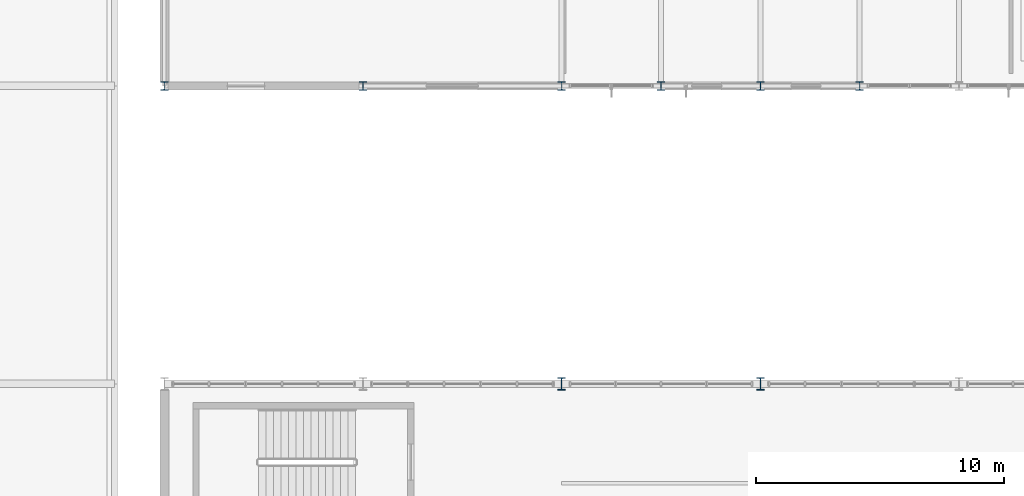
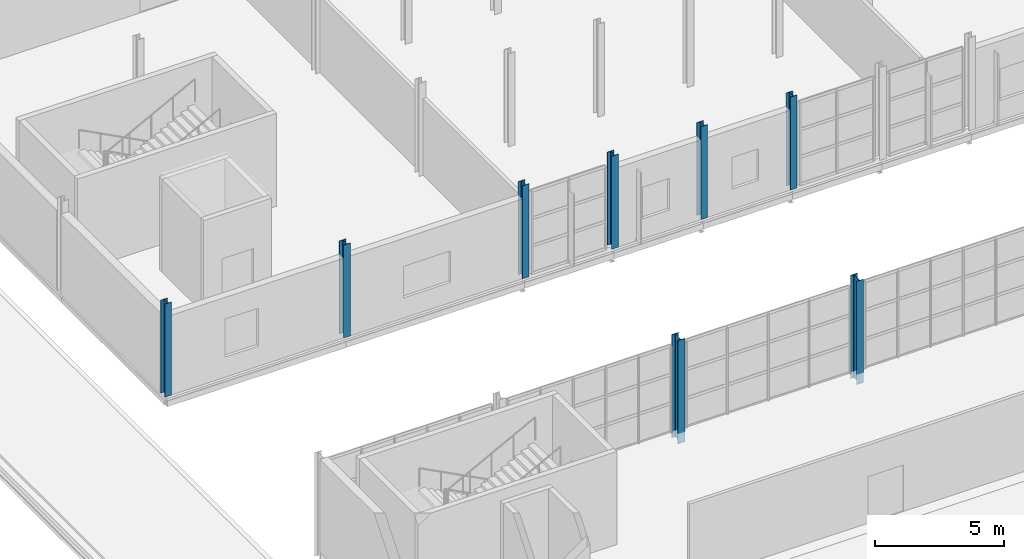
# One storey, part 8 of 153: 8 columns.
"""IFC4 building model written with IfcOpenShell, lengths in metres."""

import ifcopenshell
import ifcopenshell.guid

model = None  # the IFC model being written
_history = None  # IfcOwnerHistory: only IFC2X3 demands one
_inside = {}  # id of a spatial element -> (the spatial element, [elements in it])
_under = {}  # id of a project, library or spatial element -> (it, [spatial elements below it])
_declared = {}  # id of a project -> (the project, [libraries it declares])
_typed = {}  # id of a type object -> (the type object, [elements of that type])
_made_of = {}  # id of a material, layer set ... -> (it, [elements and type objects made of it])


def new_model(schema):
    """Start an empty IFC model of exactly this schema.

    Asked for "IFC4X3", IfcOpenShell would pick the latest addendum, in which some entities
    have other attributes; the version numbers below select the first issue.
    IFC2X3 requires an IfcOwnerHistory on every rooted entity: one is made here for all.
    """
    global model, _history
    if schema == "IFC4X3":
        model = ifcopenshell.file(schema_version=(4, 3, 0, 0))
    else:
        model = ifcopenshell.file(schema=schema)
    _inside.clear()
    _under.clear()
    _declared.clear()
    _typed.clear()
    _made_of.clear()
    _history = None
    if model.schema == "IFC2X3":
        org = make("IfcOrganization", Name="unknown")
        user = make(
            "IfcPersonAndOrganization",
            ThePerson=make("IfcPerson", FamilyName="unknown"),
            TheOrganization=org,
        )
        app = make(
            "IfcApplication",
            ApplicationDeveloper=org,
            Version="unknown",
            ApplicationFullName="unknown",
            ApplicationIdentifier="unknown",
        )
        _history = make(
            "IfcOwnerHistory",
            OwningUser=user,
            OwningApplication=app,
            ChangeAction="ADDED",
            CreationDate=0,
        )
    return model


def make(cls, **values):
    """One entity of the class cls with the attributes given. An attribute that is None is left unset."""
    return model.create_entity(
        cls, **{name: value for name, value in values.items() if value is not None}
    )


def rooted(cls, **values):
    """An entity with a GlobalId (a new one), such as an element, a storey or a relation."""
    return make(cls, GlobalId=ifcopenshell.guid.new(), OwnerHistory=_history, **values)


def si_unit(unit_type, name, prefix=None):
    """IfcSIUnit, for example si_unit("LENGTHUNIT", "METRE", prefix="MILLI")."""
    return make("IfcSIUnit", UnitType=unit_type, Prefix=prefix, Name=name)


def derived_unit(unit_type, elements):
    """IfcDerivedUnit: a product of units, each with its exponent."""
    return make(
        "IfcDerivedUnit",
        Elements=[
            make("IfcDerivedUnitElement", Unit=unit, Exponent=power)
            for unit, power in elements
        ],
        UnitType=unit_type,
    )


def assignment(units):
    """IfcUnitAssignment: the units of a project."""
    return None if units is None else make("IfcUnitAssignment", Units=units)


def point(xyz):
    """IfcCartesianPoint."""
    return None if xyz is None else make("IfcCartesianPoint", Coordinates=xyz)


def direction(xyz):
    """IfcDirection."""
    return None if xyz is None else make("IfcDirection", DirectionRatios=xyz)


def frame(location, z_axis=None, x_axis=None):
    """IfcAxis2Placement3D, a coordinate frame: its origin and axes. An axis left out is left unset."""
    return make(
        "IfcAxis2Placement3D",
        Location=point(location),
        Axis=direction(z_axis),
        RefDirection=direction(x_axis),
    )


def frame_2d(location, x_axis=None):
    """IfcAxis2Placement2D, a coordinate frame in the plane: its origin and x axis."""
    return make(
        "IfcAxis2Placement2D", Location=point(location), RefDirection=direction(x_axis)
    )


def origin():
    """The frame at (0, 0, 0) with its axes left unset."""
    return frame((0.0, 0.0, 0.0))


def origin_2d():
    """The frame at (0, 0) in the plane with its x axis left unset."""
    return frame_2d((0.0, 0.0))


def place(relative_to, where):
    """IfcLocalPlacement: puts the frame where relative to a parent placement (None: the world)."""
    return make(
        "IfcLocalPlacement", PlacementRelTo=relative_to, RelativePlacement=where
    )


def context(
    kind, dimensions, precision=None, world=None, true_north=None, identifier=None
):
    """IfcGeometricRepresentationContext, for example the 3D "Model" context."""
    return make(
        "IfcGeometricRepresentationContext",
        ContextIdentifier=identifier,
        ContextType=kind,
        CoordinateSpaceDimension=dimensions,
        Precision=precision,
        WorldCoordinateSystem=world,
        TrueNorth=true_north,
    )


def subcontext(parent, identifier, kind, view, scale=None):
    """IfcGeometricRepresentationSubContext, for example "Body" below "Model"."""
    return make(
        "IfcGeometricRepresentationSubContext",
        ContextIdentifier=identifier,
        ContextType=kind,
        ParentContext=parent,
        TargetScale=scale,
        TargetView=view,
    )


def project(units=None, contexts=None):
    """IfcProject with its units and contexts."""
    return rooted(
        "IfcProject",
        Name="project",
        RepresentationContexts=contexts,
        UnitsInContext=assignment(units),
    )


def spatial(cls, under=None, at=None, **own):
    """A site, building, storey or space (cls), placed at a placement, below another one or the project."""
    s = rooted(cls, ObjectPlacement=at, **own)
    if under is not None:
        _under.setdefault(under.id(), (under, []))[1].append(s)
    return s


def profile(cls, at=None, kind="AREA", **sizes):
    """A parametric profile (cls). Its sizes go by their IFC names, for example OverallWidth=200.0."""
    return make(cls, ProfileType=kind, Position=at, **sizes)


def i_section(**sizes):
    """IfcIShapeProfileDef."""
    return profile("IfcIShapeProfileDef", **sizes)


def extrude(swept, where, along, depth):
    """IfcExtrudedAreaSolid: the profile swept, set in the frame where, extruded along a direction by depth."""
    return make(
        "IfcExtrudedAreaSolid",
        SweptArea=swept,
        Position=where,
        ExtrudedDirection=direction(along),
        Depth=depth,
    )


def shape(context_of_items, identifier, shape_type, items):
    """IfcShapeRepresentation: the items that make up one representation, for example the "Body"."""
    return make(
        "IfcShapeRepresentation",
        ContextOfItems=context_of_items,
        RepresentationIdentifier=identifier,
        RepresentationType=shape_type,
        Items=items,
    )


def material(Name=None, Category=None):
    """IfcMaterial."""
    return make("IfcMaterial", Name=Name, Category=Category)


def material_profile(
    of_material, cross_section, Name=None, Category=None, Priority=None
):
    """IfcMaterialProfile: a cross section and its material."""
    return make(
        "IfcMaterialProfile",
        Name=Name,
        Material=of_material,
        Profile=cross_section,
        Priority=Priority,
        Category=Category,
    )


def profile_set(profiles, Name=None, composite=None):
    """IfcMaterialProfileSet."""
    return make(
        "IfcMaterialProfileSet",
        Name=Name,
        MaterialProfiles=profiles,
        CompositeProfile=composite,
    )


def made_of(thing, what):
    """Note that an element or type object is made of a material, layer set ...; save() writes the relation."""
    if what is not None:
        _made_of.setdefault(what.id(), (what, []))[1].append(thing)
    return thing


def type_object(cls, material=None, **own):
    """A type object (cls), such as IfcWallType, which elements share."""
    return made_of(rooted(cls, **own), material)


def element(
    cls,
    number,
    at=None,
    inside=None,
    cuts=None,
    type_object=None,
    material=None,
    context=None,
    identifier="Body",
    shape_type=None,
    held_by="IfcProductDefinitionShape",
    body=None,
    shapes=None,
    **own,
):
    """One element of the class cls, such as IfcWall. Its Tag is "e" and its number.

    at: its placement. inside: the storey or other place that contains it. cuts: it is an
    opening in that element (IfcRelVoidsElement). A single representation is given by context,
    identifier, shape_type and body (its items); several are given by shapes. held_by: the class
    of the entity that holds the representations. save() writes the other relations.
    """
    e = rooted(cls, Tag="e%d" % number, ObjectPlacement=at, **own)
    if body is not None:
        shapes = [shape(context, identifier, shape_type, body)]
    if shapes is not None:
        e.Representation = make(held_by, Representations=shapes)
    if inside is not None:
        _inside.setdefault(inside.id(), (inside, []))[1].append(e)
    if cuts is not None:
        rooted(
            "IfcRelVoidsElement", RelatingBuildingElement=cuts, RelatedOpeningElement=e
        )
    if type_object is not None:
        _typed.setdefault(type_object.id(), (type_object, []))[1].append(e)
    return made_of(e, material)


def aggregate(whole, parts):
    """IfcRelAggregates: a whole, such as a stair, and the parts it consists of."""
    return rooted("IfcRelAggregates", RelatingObject=whole, RelatedObjects=parts)


def save(model, path):
    """Write the relations noted so far, then the file.

    IfcRelAggregates (storeys below a building ...), IfcRelContainedInSpatialStructure (elements
    in a storey), IfcRelDefinesByType, IfcRelAssociatesMaterial and IfcRelDeclares: one each for
    every whole, place, type object, material and project.
    """
    for whole, parts in _under.values():
        aggregate(whole, parts)
    for where, things in _inside.values():
        rooted(
            "IfcRelContainedInSpatialStructure",
            RelatedElements=things,
            RelatingStructure=where,
        )
    for kind, things in _typed.values():
        rooted("IfcRelDefinesByType", RelatedObjects=things, RelatingType=kind)
    for what, things in _made_of.values():
        rooted("IfcRelAssociatesMaterial", RelatedObjects=things, RelatingMaterial=what)
    for by, libraries in _declared.values():
        rooted("IfcRelDeclares", RelatingContext=by, RelatedDefinitions=libraries)
    model.write(path)


model = new_model("IFC4")

# Units and contexts
model_context = context("Model", 3, precision=1e-05, world=origin(), true_north=direction((0.0, 1.0)))
body_context = subcontext(model_context, "Body", "Model", "MODEL_VIEW")
ifc_project = project(units=[si_unit("LENGTHUNIT", "METRE"), si_unit("AREAUNIT", "SQUARE_METRE"), si_unit("VOLUMEUNIT", "CUBIC_METRE"), si_unit("PLANEANGLEUNIT", "RADIAN"), si_unit("MASSUNIT", "GRAM", prefix="KILO"), derived_unit("THERMALTRANSMITTANCEUNIT", [(si_unit("POWERUNIT", "WATT"), 1), (si_unit("LENGTHUNIT", "METRE"), -2), (si_unit("THERMODYNAMICTEMPERATUREUNIT", "KELVIN"), -1)])], contexts=[model_context])

# Site, building, storey
site_placement = place(None, origin())
site = spatial("IfcSite", under=ifc_project, at=site_placement, CompositionType="ELEMENT")
building_placement = place(site_placement, origin())
building = spatial("IfcBuilding", under=site, at=building_placement, Name="Keldorne Ridge Multi-Sports Centre", CompositionType="ELEMENT")
storey_placement = place(building_placement, frame((0.0, 0.0, 9.60009765625)))
storey = spatial("IfcBuildingStorey", under=building, at=storey_placement, Name="L02", CompositionType="ELEMENT", Elevation=9.60009765625)

# Columns
ifc_material = material(Name="Steel S355", Category="steel")
ifc_material_profile_1 = material_profile(ifc_material, i_section(OverallWidth=0.300048828125, OverallDepth=0.5, WebThickness=0.014404296875, FlangeThickness=0.028076171875, FilletRadius=0.027099609375, at=origin_2d()), Name="HEB 500")
ifc_profile_set_1 = profile_set([ifc_material_profile_1], Name="Steel S355")
column_type_1 = type_object("IfcColumnType", Name="COL-C-05", PredefinedType="COLUMN", material=ifc_profile_set_1)
for number, where, z_axis, x_axis, name in (
    (1, (120.0, 54.0, -0.489990234375), (0.0, 0.0, 1.0), (1.0, 0.0, 0.0), "Structural column V2-TRUSS-N-03 on L02"),
    (2, (128.0, 54.0, -0.489990234375), (0.0, 0.0, 1.0), (1.0, 0.0, 0.0), "Structural column V2-TRUSS-N-04 on L02"),
):
    element("IfcColumn", number, at=place(storey_placement, frame(where, z_axis=z_axis, x_axis=x_axis)), inside=storey, type_object=column_type_1, Name=name, PredefinedType="COLUMN", context=body_context, shape_type="SweptSolid", body=[
        extrude(i_section(OverallWidth=0.300048828125, OverallDepth=0.5, WebThickness=0.014404296875, FlangeThickness=0.028076171875, FilletRadius=0.027099609375, at=origin_2d()), origin(), (0.0, 0.0, 1.0), 4.889892578125),
    ])
ifc_material_profile_2 = material_profile(ifc_material, i_section(OverallWidth=0.300048828125, OverallDepth=0.340087890625, WebThickness=0.011962890625, FlangeThickness=0.021484375, FilletRadius=0.027099609375, at=origin_2d()), Name="HEB 340")
ifc_profile_set_2 = profile_set([ifc_material_profile_2], Name="Steel S355")
column_type_2 = type_object("IfcColumnType", Name="COL-C-11", PredefinedType="COLUMN", material=ifc_profile_set_2)
for number, where, z_axis, x_axis, name in (
    (3, (104.0, 66.0, 0.0), (0.0, 0.0, 1.0), (1.0, 0.0, 0.0), "Structural column V5-C-01-01 on L02"),
    (4, (112.0, 66.0, 0.0), (0.0, 0.0, 1.0), (1.0, 0.0, 0.0), "Structural column V5-C-02-01 on L02"),
    (5, (120.0, 66.0, 0.0), (0.0, 0.0, 1.0), (1.0, 0.0, 0.0), "Structural column V5-C-03-01 on L02"),
    (6, (124.0, 66.0, 0.0), (0.0, 0.0, 1.0), (1.0, 0.0, 0.0), "Structural column V5-C-04-01 on L02"),
    (7, (128.0, 66.0, 0.0), (0.0, 0.0, 1.0), (1.0, 0.0, 0.0), "Structural column V5-C-05-01 on L02"),
    (8, (132.0, 66.0, 0.0), (0.0, 0.0, 1.0), (1.0, 0.0, 0.0), "Structural column V5-C-06-01 on L02"),
):
    element("IfcColumn", number, at=place(storey_placement, frame(where, z_axis=z_axis, x_axis=x_axis)), inside=storey, type_object=column_type_2, Name=name, PredefinedType="COLUMN", context=body_context, shape_type="SweptSolid", body=[
        extrude(i_section(OverallWidth=0.300048828125, OverallDepth=0.340087890625, WebThickness=0.011962890625, FlangeThickness=0.021484375, FilletRadius=0.027099609375, at=origin_2d()), origin(), (0.0, 0.0, 1.0), 4.39990234375),
    ])

save(model, "model.ifc")
